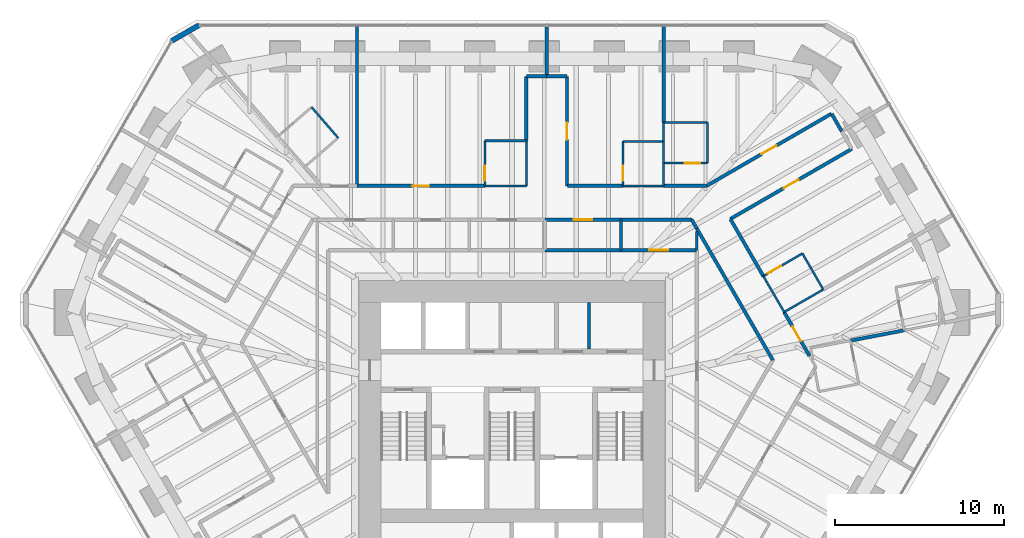
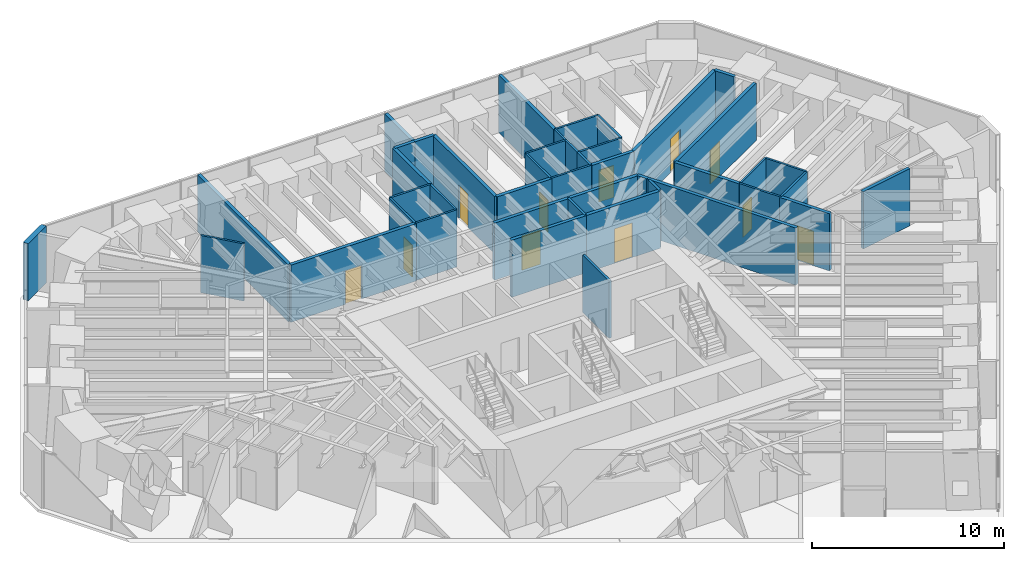
# One storey, part 15 of 17: 44 walls, 11 doors, 11 openings.
"""IFC4 building model written with IfcOpenShell, lengths in metres."""

import ifcopenshell
import ifcopenshell.guid

model = None  # the IFC model being written
_history = None  # IfcOwnerHistory: only IFC2X3 demands one
_inside = {}  # id of a spatial element -> (the spatial element, [elements in it])
_under = {}  # id of a project, library or spatial element -> (it, [spatial elements below it])
_declared = {}  # id of a project -> (the project, [libraries it declares])
_typed = {}  # id of a type object -> (the type object, [elements of that type])
_made_of = {}  # id of a material, layer set ... -> (it, [elements and type objects made of it])


def new_model(schema):
    """Start an empty IFC model of exactly this schema.

    Asked for "IFC4X3", IfcOpenShell would pick the latest addendum, in which some entities
    have other attributes; the version numbers below select the first issue.
    IFC2X3 requires an IfcOwnerHistory on every rooted entity: one is made here for all.
    """
    global model, _history
    if schema == "IFC4X3":
        model = ifcopenshell.file(schema_version=(4, 3, 0, 0))
    else:
        model = ifcopenshell.file(schema=schema)
    _inside.clear()
    _under.clear()
    _declared.clear()
    _typed.clear()
    _made_of.clear()
    _history = None
    if model.schema == "IFC2X3":
        org = make("IfcOrganization", Name="unknown")
        user = make(
            "IfcPersonAndOrganization",
            ThePerson=make("IfcPerson", FamilyName="unknown"),
            TheOrganization=org,
        )
        app = make(
            "IfcApplication",
            ApplicationDeveloper=org,
            Version="unknown",
            ApplicationFullName="unknown",
            ApplicationIdentifier="unknown",
        )
        _history = make(
            "IfcOwnerHistory",
            OwningUser=user,
            OwningApplication=app,
            ChangeAction="ADDED",
            CreationDate=0,
        )
    return model


def make(cls, **values):
    """One entity of the class cls with the attributes given. An attribute that is None is left unset."""
    return model.create_entity(
        cls, **{name: value for name, value in values.items() if value is not None}
    )


def rooted(cls, **values):
    """An entity with a GlobalId (a new one), such as an element, a storey or a relation."""
    return make(cls, GlobalId=ifcopenshell.guid.new(), OwnerHistory=_history, **values)


def si_unit(unit_type, name, prefix=None):
    """IfcSIUnit, for example si_unit("LENGTHUNIT", "METRE", prefix="MILLI")."""
    return make("IfcSIUnit", UnitType=unit_type, Prefix=prefix, Name=name)


def assignment(units):
    """IfcUnitAssignment: the units of a project."""
    return None if units is None else make("IfcUnitAssignment", Units=units)


def point(xyz):
    """IfcCartesianPoint."""
    return None if xyz is None else make("IfcCartesianPoint", Coordinates=xyz)


def direction(xyz):
    """IfcDirection."""
    return None if xyz is None else make("IfcDirection", DirectionRatios=xyz)


def frame(location, z_axis=None, x_axis=None):
    """IfcAxis2Placement3D, a coordinate frame: its origin and axes. An axis left out is left unset."""
    return make(
        "IfcAxis2Placement3D",
        Location=point(location),
        Axis=direction(z_axis),
        RefDirection=direction(x_axis),
    )


def frame_2d(location, x_axis=None):
    """IfcAxis2Placement2D, a coordinate frame in the plane: its origin and x axis."""
    return make(
        "IfcAxis2Placement2D", Location=point(location), RefDirection=direction(x_axis)
    )


def origin():
    """The frame at (0, 0, 0) with its axes left unset."""
    return frame((0.0, 0.0, 0.0))


def place(relative_to, where):
    """IfcLocalPlacement: puts the frame where relative to a parent placement (None: the world)."""
    return make(
        "IfcLocalPlacement", PlacementRelTo=relative_to, RelativePlacement=where
    )


def context(
    kind, dimensions, precision=None, world=None, true_north=None, identifier=None
):
    """IfcGeometricRepresentationContext, for example the 3D "Model" context."""
    return make(
        "IfcGeometricRepresentationContext",
        ContextIdentifier=identifier,
        ContextType=kind,
        CoordinateSpaceDimension=dimensions,
        Precision=precision,
        WorldCoordinateSystem=world,
        TrueNorth=true_north,
    )


def subcontext(parent, identifier, kind, view, scale=None):
    """IfcGeometricRepresentationSubContext, for example "Body" below "Model"."""
    return make(
        "IfcGeometricRepresentationSubContext",
        ContextIdentifier=identifier,
        ContextType=kind,
        ParentContext=parent,
        TargetScale=scale,
        TargetView=view,
    )


def project(units=None, contexts=None):
    """IfcProject with its units and contexts."""
    return rooted(
        "IfcProject",
        Name="project",
        RepresentationContexts=contexts,
        UnitsInContext=assignment(units),
    )


def spatial(cls, under=None, at=None, **own):
    """A site, building, storey or space (cls), placed at a placement, below another one or the project."""
    s = rooted(cls, ObjectPlacement=at, **own)
    if under is not None:
        _under.setdefault(under.id(), (under, []))[1].append(s)
    return s


def profile(cls, at=None, kind="AREA", **sizes):
    """A parametric profile (cls). Its sizes go by their IFC names, for example OverallWidth=200.0."""
    return make(cls, ProfileType=kind, Position=at, **sizes)


def rectangle(**sizes):
    """IfcRectangleProfileDef."""
    return profile("IfcRectangleProfileDef", **sizes)


def extrude(swept, where, along, depth):
    """IfcExtrudedAreaSolid: the profile swept, set in the frame where, extruded along a direction by depth."""
    return make(
        "IfcExtrudedAreaSolid",
        SweptArea=swept,
        Position=where,
        ExtrudedDirection=direction(along),
        Depth=depth,
    )


def shape(context_of_items, identifier, shape_type, items):
    """IfcShapeRepresentation: the items that make up one representation, for example the "Body"."""
    return make(
        "IfcShapeRepresentation",
        ContextOfItems=context_of_items,
        RepresentationIdentifier=identifier,
        RepresentationType=shape_type,
        Items=items,
    )


def material(Name=None, Category=None):
    """IfcMaterial."""
    return make("IfcMaterial", Name=Name, Category=Category)


def layer(
    of_material, thickness, ventilated=None, Name=None, Category=None, Priority=None
):
    """IfcMaterialLayer: one layer of a wall or slab, of a material (None: an air gap)."""
    return make(
        "IfcMaterialLayer",
        Material=of_material,
        LayerThickness=thickness,
        IsVentilated=ventilated,
        Name=Name,
        Category=Category,
        Priority=Priority,
    )


def layer_set(layers, Name=None):
    """IfcMaterialLayerSet."""
    return make("IfcMaterialLayerSet", MaterialLayers=layers, LayerSetName=Name)


def made_of(thing, what):
    """Note that an element or type object is made of a material, layer set ...; save() writes the relation."""
    if what is not None:
        _made_of.setdefault(what.id(), (what, []))[1].append(thing)
    return thing


def type_object(cls, material=None, **own):
    """A type object (cls), such as IfcWallType, which elements share."""
    return made_of(rooted(cls, **own), material)


def element(
    cls,
    number,
    at=None,
    inside=None,
    cuts=None,
    type_object=None,
    material=None,
    context=None,
    identifier="Body",
    shape_type=None,
    held_by="IfcProductDefinitionShape",
    body=None,
    shapes=None,
    **own,
):
    """One element of the class cls, such as IfcWall. Its Tag is "e" and its number.

    at: its placement. inside: the storey or other place that contains it. cuts: it is an
    opening in that element (IfcRelVoidsElement). A single representation is given by context,
    identifier, shape_type and body (its items); several are given by shapes. held_by: the class
    of the entity that holds the representations. save() writes the other relations.
    """
    e = rooted(cls, Tag="e%d" % number, ObjectPlacement=at, **own)
    if body is not None:
        shapes = [shape(context, identifier, shape_type, body)]
    if shapes is not None:
        e.Representation = make(held_by, Representations=shapes)
    if inside is not None:
        _inside.setdefault(inside.id(), (inside, []))[1].append(e)
    if cuts is not None:
        rooted(
            "IfcRelVoidsElement", RelatingBuildingElement=cuts, RelatedOpeningElement=e
        )
    if type_object is not None:
        _typed.setdefault(type_object.id(), (type_object, []))[1].append(e)
    return made_of(e, material)


def fill(opening, filler):
    """IfcRelFillsElement: the door or window that sits in an opening."""
    return rooted(
        "IfcRelFillsElement",
        RelatingOpeningElement=opening,
        RelatedBuildingElement=filler,
    )


def aggregate(whole, parts):
    """IfcRelAggregates: a whole, such as a stair, and the parts it consists of."""
    return rooted("IfcRelAggregates", RelatingObject=whole, RelatedObjects=parts)


def save(model, path):
    """Write the relations noted so far, then the file.

    IfcRelAggregates (storeys below a building ...), IfcRelContainedInSpatialStructure (elements
    in a storey), IfcRelDefinesByType, IfcRelAssociatesMaterial and IfcRelDeclares: one each for
    every whole, place, type object, material and project.
    """
    for whole, parts in _under.values():
        aggregate(whole, parts)
    for where, things in _inside.values():
        rooted(
            "IfcRelContainedInSpatialStructure",
            RelatedElements=things,
            RelatingStructure=where,
        )
    for kind, things in _typed.values():
        rooted("IfcRelDefinesByType", RelatedObjects=things, RelatingType=kind)
    for what, things in _made_of.values():
        rooted("IfcRelAssociatesMaterial", RelatedObjects=things, RelatingMaterial=what)
    for by, libraries in _declared.values():
        rooted("IfcRelDeclares", RelatingContext=by, RelatedDefinitions=libraries)
    model.write(path)


model = new_model("IFC4")

# Units and contexts
model_context = context("Model", 3, precision=1e-05, world=origin(), true_north=direction((0.0, 1.0)))
body_context = subcontext(model_context, "Body", "Model", "MODEL_VIEW")
ifc_project = project(units=[si_unit("LENGTHUNIT", "METRE"), si_unit("AREAUNIT", "SQUARE_METRE"), si_unit("VOLUMEUNIT", "CUBIC_METRE"), si_unit("PLANEANGLEUNIT", "RADIAN"), si_unit("MASSUNIT", "GRAM", prefix="KILO")], contexts=[model_context])

# Site, building, storey
site_placement = place(None, origin())
site = spatial("IfcSite", under=ifc_project, at=site_placement, CompositionType="ELEMENT")
building_placement = place(site_placement, origin())
building = spatial("IfcBuilding", under=site, at=building_placement, Name="Sandreach Pilgrim Tower", CompositionType="ELEMENT")
storey_placement = place(building_placement, frame((0.0, 0.0, 161.39990234375)))
storey = spatial("IfcBuildingStorey", under=building, at=storey_placement, Name="L40", CompositionType="ELEMENT", Elevation=161.39990234375)

# Walls
ifc_material_1 = material(Name="Gypsum board on steel studs", Category="steel")
ifc_layer_1 = layer(ifc_material_1, 0.14990234375)
ifc_layer_set_1 = layer_set([ifc_layer_1], Name="Back of house wall 150")
wall_type_1 = type_object("IfcWallType", Name="Back of house wall 150", PredefinedType="PARTITIONING", material=ifc_layer_set_1)
wall_1_placement = place(storey_placement, frame((6.43994140625, 10.989990234375, 0.0), z_axis=(0.0, 0.0, 1.0), x_axis=(0.0, -1.0, 0.0)))
element("IfcWall", 1, at=wall_1_placement, inside=storey, type_object=wall_type_1, Name="Back of house wall L40-115", PredefinedType="PARTITIONING", context=body_context, shape_type="SweptSolid", body=[
    extrude(rectangle(XDim=1.7900390625, YDim=0.14990234375, at=frame_2d((0.89501953125, 0.0))), origin(), (0.0, 0.0, 1.0), 3.64013671875),
])
wall_2_placement = place(storey_placement, frame((10.919921875, 10.31005859375, 0.0), z_axis=(0.0, 0.0, 1.0), x_axis=(0.0, -1.0, 0.0)))
element("IfcWall", 2, at=wall_2_placement, inside=storey, type_object=wall_type_1, Name="Back of house wall L40-140", PredefinedType="PARTITIONING", context=body_context, shape_type="SweptSolid", body=[
    extrude(rectangle(XDim=1.110107421875, YDim=0.14990234375, at=frame_2d((0.55517578125, 0.0))), origin(), (0.0, 0.0, 1.0), 3.64013671875),
])
wall_3_placement = place(storey_placement, frame((4.550048828125, 3.35009765625, 0.0), z_axis=(0.0, 0.0, 1.0), x_axis=(0.0, 1.0, 0.0)))
element("IfcWall", 3, at=wall_3_placement, inside=storey, type_object=wall_type_1, Name="Core room partition L40 2", PredefinedType="PARTITIONING", context=body_context, shape_type="SweptSolid", body=[
    extrude(rectangle(XDim=2.75, YDim=0.14990234375, at=frame_2d((1.375, 0.0))), origin(), (0.0, 0.0, 1.0), 3.64013671875),
])
ifc_material_2 = material(Name="Moisture-resistant gypsum board on steel studs", Category="steel")
ifc_layer_2 = layer(ifc_material_2, 0.1201171875)
ifc_layer_set_2 = layer_set([ifc_layer_2], Name="Bathroom partition 120")
wall_type_2 = type_object("IfcWallType", Name="Bathroom partition 120", PredefinedType="PARTITIONING", material=ifc_layer_set_2)
wall_4_placement = place(storey_placement, frame((-10.27001953125, 15.830078125, 0.0), z_axis=(0.0, 0.0, 1.0), x_axis=(-0.655302876176, 0.755366229372, 0.0)))
element("IfcWall", 4, at=wall_4_placement, inside=storey, type_object=wall_type_2, Name="Bathroom partition L40-055", PredefinedType="PARTITIONING", context=body_context, shape_type="SweptSolid", body=[
    extrude(rectangle(XDim=2.39599609375, YDim=0.1201171875, at=frame_2d((1.197998046875, 0.0))), origin(), (0.0, 0.0, 1.0), 3.64013671875),
])

# Wall, opening, door
wall_5_placement = place(storey_placement, frame((-1.60009765625, 15.659912109375, 0.0), z_axis=(0.0, 0.0, 1.0), x_axis=(0.0, -1.0, 0.0)))
wall_5 = element("IfcWall", 5, at=wall_5_placement, inside=storey, type_object=wall_type_2, Name="Bathroom partition L40-088", PredefinedType="PARTITIONING", context=body_context, shape_type="SweptSolid", body=[
    extrude(rectangle(XDim=2.669921875, YDim=0.1201171875, at=frame_2d((1.3349609375, 0.0))), origin(), (0.0, 0.0, 1.0), 3.64013671875),
])
opening_1_placement = place(wall_5_placement, frame((1.469970703125, 0.0, 0.0)))
opening_1 = element("IfcOpeningElement", 6, at=opening_1_placement, cuts=wall_5, Name="Opening D09-02B", PredefinedType="OPENING", context=body_context, shape_type="SweptSolid", body=[
    extrude(rectangle(XDim=0.89990234375, YDim=2.030029296875, at=frame_2d((0.449951171875, 1.01513671875))), frame((0.0, 0.06005859375, 0.0), z_axis=(0.0, -1.0, 0.0), x_axis=(1.0, 0.0, 0.0)), (0.0, 0.0, 1.0), 0.1201171875),
])
ifc_material_3 = material(Name="Timber door, steel frame", Category="steel")
door_type_1 = type_object("IfcDoorType", Name="Bathroom door", OperationType="SINGLE_SWING_LEFT", PredefinedType="DOOR", material=ifc_material_3)
door_1_placement = place(opening_1_placement, origin())
door_1 = element("IfcDoor", 7, at=door_1_placement, inside=storey, type_object=door_type_1, Name="Door 4002B", OperationType="SINGLE_SWING_RIGHT", OverallHeight=2.030029296875, OverallWidth=0.89990234375, PredefinedType="DOOR", context=body_context, shape_type="SweptSolid", body=[
    extrude(rectangle(XDim=0.89990234375, YDim=2.030029296875, at=frame_2d((0.449951171875, 1.01513671875))), frame((0.0, 0.02490234375, 0.0), z_axis=(0.0, -1.0, 0.0), x_axis=(1.0, 0.0, 0.0)), (0.0, 0.0, 1.0), 0.050048828125),
])
fill(opening_1, door_1)

# Walls
for number, where, z_axis, x_axis, name in (
    (8, (0.85009765625, 12.989990234375, 0.0), (0.0, 0.0, 1.0), (-1.0, 0.0, 0.0), "Bathroom partition L40-092"),
    (9, (0.85009765625, 15.659912109375, 0.0), (0.0, 0.0, 1.0), (-1.0, 0.0, 0.0), "Bathroom partition L40-093"),
):
    element("IfcWall", number, at=place(storey_placement, frame(where, z_axis=z_axis, x_axis=x_axis)), inside=storey, type_object=wall_type_2, Name=name, PredefinedType="PARTITIONING", context=body_context, shape_type="SweptSolid", body=[
        extrude(rectangle(XDim=2.4501953125, YDim=0.1201171875, at=frame_2d((1.22509765625, 0.0))), origin(), (0.0, 0.0, 1.0), 3.64013671875),
    ])
wall_6_placement = place(storey_placement, frame((0.85009765625, 15.659912109375, 0.0), z_axis=(0.0, 0.0, 1.0), x_axis=(0.0, -1.0, 0.0)))
element("IfcWall", 10, at=wall_6_placement, inside=storey, type_object=wall_type_2, Name="Bathroom partition L40-094", PredefinedType="PARTITIONING", context=body_context, shape_type="SweptSolid", body=[
    extrude(rectangle(XDim=2.669921875, YDim=0.1201171875, at=frame_2d((1.3349609375, 0.0))), origin(), (0.0, 0.0, 1.0), 3.64013671875),
])

# Wall, opening, door
wall_7_placement = place(storey_placement, frame((6.56005859375, 15.610107421875, 0.0), z_axis=(0.0, 0.0, 1.0), x_axis=(0.0, -1.0, 0.0)))
wall_7 = element("IfcWall", 11, at=wall_7_placement, inside=storey, type_object=wall_type_2, Name="Bathroom partition L40-118", PredefinedType="PARTITIONING", context=body_context, shape_type="SweptSolid", body=[
    extrude(rectangle(XDim=2.6201171875, YDim=0.1201171875, at=frame_2d((1.31005859375, 0.0))), origin(), (0.0, 0.0, 1.0), 3.64013671875),
])
opening_2_placement = place(wall_7_placement, frame((1.419921875, 0.0, 0.0)))
opening_2 = element("IfcOpeningElement", 12, at=opening_2_placement, cuts=wall_7, Name="Opening D09-03B", PredefinedType="OPENING", context=body_context, shape_type="SweptSolid", body=[
    extrude(rectangle(XDim=0.89990234375, YDim=2.030029296875, at=frame_2d((0.449951171875, 1.01513671875))), frame((0.0, 0.06005859375, 0.0), z_axis=(0.0, -1.0, 0.0), x_axis=(1.0, 0.0, 0.0)), (0.0, 0.0, 1.0), 0.1201171875),
])
door_2_placement = place(opening_2_placement, origin())
door_2 = element("IfcDoor", 13, at=door_2_placement, inside=storey, type_object=door_type_1, Name="Door 4003B", OperationType="SINGLE_SWING_RIGHT", OverallHeight=2.030029296875, OverallWidth=0.89990234375, PredefinedType="DOOR", context=body_context, shape_type="SweptSolid", body=[
    extrude(rectangle(XDim=0.89990234375, YDim=2.030029296875, at=frame_2d((0.449951171875, 1.01513671875))), frame((0.0, 0.02490234375, 0.0), z_axis=(0.0, -1.0, 0.0), x_axis=(1.0, 0.0, 0.0)), (0.0, 0.0, 1.0), 0.050048828125),
])
fill(opening_2, door_2)

# Walls
wall_8_placement = place(storey_placement, frame((8.9599609375, 12.989990234375, 0.0), z_axis=(0.0, 0.0, 1.0), x_axis=(-1.0, 0.0, 0.0)))
element("IfcWall", 14, at=wall_8_placement, inside=storey, type_object=wall_type_2, Name="Bathroom partition L40-126", PredefinedType="PARTITIONING", context=body_context, shape_type="SweptSolid", body=[
    extrude(rectangle(XDim=2.39990234375, YDim=0.1201171875, at=frame_2d((1.199951171875, 0.0))), origin(), (0.0, 0.0, 1.0), 3.64013671875),
])
wall_9_placement = place(storey_placement, frame((8.9599609375, 14.340087890625, 0.0), z_axis=(0.0, 0.0, 1.0), x_axis=(0.0, -1.0, 0.0)))
element("IfcWall", 15, at=wall_9_placement, inside=storey, type_object=wall_type_2, Name="Bathroom partition L40-127", PredefinedType="PARTITIONING", context=body_context, shape_type="SweptSolid", body=[
    extrude(rectangle(XDim=1.35009765625, YDim=0.1201171875, at=frame_2d((0.675048828125, 0.0))), origin(), (0.0, 0.0, 1.0), 3.64013671875),
])

# Wall, opening, door
wall_10_placement = place(storey_placement, frame((8.9599609375, 14.340087890625, 0.0), z_axis=(0.0, 0.0, 1.0), x_axis=(1.0, 0.0, 0.0)))
wall_10 = element("IfcWall", 16, at=wall_10_placement, inside=storey, type_object=wall_type_2, Name="Bathroom partition L40-128", PredefinedType="PARTITIONING", context=body_context, shape_type="SweptSolid", body=[
    extrude(rectangle(XDim=2.60009765625, YDim=0.1201171875, at=frame_2d((1.300048828125, 0.0))), origin(), (0.0, 0.0, 1.0), 3.64013671875),
])
opening_3_placement = place(wall_10_placement, frame((1.25, 0.0, 0.0)))
opening_3 = element("IfcOpeningElement", 17, at=opening_3_placement, cuts=wall_10, Name="Opening D09-04B", PredefinedType="OPENING", context=body_context, shape_type="SweptSolid", body=[
    extrude(rectangle(XDim=0.89990234375, YDim=2.030029296875, at=frame_2d((0.449951171875, 1.01513671875))), frame((0.0, 0.06005859375, 0.0), z_axis=(0.0, -1.0, 0.0), x_axis=(1.0, 0.0, 0.0)), (0.0, 0.0, 1.0), 0.1201171875),
])
door_3_placement = place(opening_3_placement, origin())
door_3 = element("IfcDoor", 18, at=door_3_placement, inside=storey, type_object=door_type_1, Name="Door 4004B", OperationType="SINGLE_SWING_RIGHT", OverallHeight=2.030029296875, OverallWidth=0.89990234375, PredefinedType="DOOR", context=body_context, shape_type="SweptSolid", body=[
    extrude(rectangle(XDim=0.89990234375, YDim=2.030029296875, at=frame_2d((0.449951171875, 1.01513671875))), frame((0.0, 0.02490234375, 0.0), z_axis=(0.0, -1.0, 0.0), x_axis=(1.0, 0.0, 0.0)), (0.0, 0.0, 1.0), 0.050048828125),
])
fill(opening_3, door_3)

# Walls
wall_11_placement = place(storey_placement, frame((8.9599609375, 15.610107421875, 0.0), z_axis=(0.0, 0.0, 1.0), x_axis=(-1.0, 0.0, 0.0)))
element("IfcWall", 19, at=wall_11_placement, inside=storey, type_object=wall_type_2, Name="Bathroom partition L40-129", PredefinedType="PARTITIONING", context=body_context, shape_type="SweptSolid", body=[
    extrude(rectangle(XDim=2.39990234375, YDim=0.1201171875, at=frame_2d((1.199951171875, 0.0))), origin(), (0.0, 0.0, 1.0), 3.64013671875),
])
wall_12_placement = place(storey_placement, frame((8.9599609375, 15.610107421875, 0.0), z_axis=(0.0, 0.0, 1.0), x_axis=(0.0, -1.0, 0.0)))
element("IfcWall", 20, at=wall_12_placement, inside=storey, type_object=wall_type_2, Name="Bathroom partition L40-130", PredefinedType="PARTITIONING", context=body_context, shape_type="SweptSolid", body=[
    extrude(rectangle(XDim=1.27001953125, YDim=0.1201171875, at=frame_2d((0.635009765625, 0.0))), origin(), (0.0, 0.0, 1.0), 3.64013671875),
])
wall_13_placement = place(storey_placement, frame((8.9599609375, 16.739990234375, 0.0), z_axis=(0.0, 0.0, 1.0), x_axis=(0.0, -1.0, 0.0)))
element("IfcWall", 21, at=wall_13_placement, inside=storey, type_object=wall_type_2, Name="Bathroom partition L40-131", PredefinedType="PARTITIONING", context=body_context, shape_type="SweptSolid", body=[
    extrude(rectangle(XDim=1.1298828125, YDim=0.1201171875, at=frame_2d((0.56494140625, 0.0))), origin(), (0.0, 0.0, 1.0), 3.64013671875),
])
wall_14_placement = place(storey_placement, frame((11.56005859375, 14.340087890625, 0.0), z_axis=(0.0, 0.0, 1.0), x_axis=(0.0, 1.0, 0.0)))
element("IfcWall", 22, at=wall_14_placement, inside=storey, type_object=wall_type_2, Name="Bathroom partition L40-143", PredefinedType="PARTITIONING", context=body_context, shape_type="SweptSolid", body=[
    extrude(rectangle(XDim=2.39990234375, YDim=0.1201171875, at=frame_2d((1.199951171875, 0.0))), origin(), (0.0, 0.0, 1.0), 3.64013671875),
])
wall_15_placement = place(storey_placement, frame((11.56005859375, 16.739990234375, 0.0), z_axis=(0.0, 0.0, 1.0), x_axis=(-1.0, 0.0, 0.0)))
element("IfcWall", 23, at=wall_15_placement, inside=storey, type_object=wall_type_2, Name="Bathroom partition L40-144", PredefinedType="PARTITIONING", context=body_context, shape_type="SweptSolid", body=[
    extrude(rectangle(XDim=2.60009765625, YDim=0.1201171875, at=frame_2d((1.300048828125, 0.0))), origin(), (0.0, 0.0, 1.0), 3.64013671875),
])
wall_16_placement = place(storey_placement, frame((14.85009765625, 7.659912109375, 0.0), z_axis=(0.0, 0.0, 1.0), x_axis=(0.501856726365, -0.86495076519, 0.0)))
element("IfcWall", 24, at=wall_16_placement, inside=storey, type_object=wall_type_2, Name="Bathroom partition L40-152", PredefinedType="PARTITIONING", context=body_context, shape_type="SweptSolid", body=[
    extrude(rectangle(XDim=2.450927734375, YDim=0.1201171875, at=frame_2d((1.2255859375, 0.0))), origin(), (0.0, 0.0, 1.0), 3.64013671875),
])
wall_17_placement = place(storey_placement, frame((16.080078125, 5.5400390625, 0.0), z_axis=(0.0, 0.0, 1.0), x_axis=(0.86663205897, 0.498947767172, 0.0)))
element("IfcWall", 25, at=wall_17_placement, inside=storey, type_object=wall_type_2, Name="Bathroom partition L40-158", PredefinedType="PARTITIONING", context=body_context, shape_type="SweptSolid", body=[
    extrude(rectangle(XDim=2.665283203125, YDim=0.1201171875, at=frame_2d((1.33251953125, 0.0))), origin(), (0.0, 0.0, 1.0), 3.64013671875),
])

# Wall, opening, door
wall_18_placement = place(storey_placement, frame((17.159912109375, 9.0, 0.0), z_axis=(0.0, 0.0, 1.0), x_axis=(-0.864966903181, -0.501828911485, 0.0)))
wall_18 = element("IfcWall", 26, at=wall_18_placement, inside=storey, type_object=wall_type_2, Name="Bathroom partition L40-160", PredefinedType="PARTITIONING", context=body_context, shape_type="SweptSolid", body=[
    extrude(rectangle(XDim=2.67041015625, YDim=0.1201171875, at=frame_2d((1.335205078125, 0.0))), origin(), (0.0, 0.0, 1.0), 3.64013671875),
])
opening_4_placement = place(wall_18_placement, frame((1.470458984375, 0.0, 0.0)))
opening_4 = element("IfcOpeningElement", 27, at=opening_4_placement, cuts=wall_18, Name="Opening D09-05B", PredefinedType="OPENING", context=body_context, shape_type="SweptSolid", body=[
    extrude(rectangle(XDim=0.89990234375, YDim=2.030029296875, at=frame_2d((0.449951171875, 1.01513671875))), frame((0.0, 0.06005859375, 0.0), z_axis=(0.0, -1.0, 0.0), x_axis=(1.0, 0.0, 0.0)), (0.0, 0.0, 1.0), 0.1201171875),
])
door_4_placement = place(opening_4_placement, origin())
door_4 = element("IfcDoor", 28, at=door_4_placement, inside=storey, type_object=door_type_1, Name="Door 4005B", OperationType="SINGLE_SWING_RIGHT", OverallHeight=2.030029296875, OverallWidth=0.89990234375, PredefinedType="DOOR", context=body_context, shape_type="SweptSolid", body=[
    extrude(rectangle(XDim=0.89990234375, YDim=2.030029296875, at=frame_2d((0.449951171875, 1.01513671875))), frame((0.0, 0.02490234375, 0.0), z_axis=(0.0, -1.0, 0.0), x_axis=(1.0, 0.0, 0.0)), (0.0, 0.0, 1.0), 0.050048828125),
])
fill(opening_4, door_4)

# Wall
wall_19_placement = place(storey_placement, frame((18.389892578125, 6.8701171875, 0.0), z_axis=(0.0, 0.0, 1.0), x_axis=(-0.500089055364, 0.86597398154, 0.0)))
element("IfcWall", 29, at=wall_19_placement, inside=storey, type_object=wall_type_2, Name="Bathroom partition L40-168", PredefinedType="PARTITIONING", context=body_context, shape_type="SweptSolid", body=[
    extrude(rectangle(XDim=2.45947265625, YDim=0.1201171875, at=frame_2d((1.229736328125, 0.0))), origin(), (0.0, 0.0, 1.0), 3.64013671875),
])

# Wall, opening, door
ifc_material_4 = material(Name="Gypsum board on steel studs, two layers each side", Category="steel")
ifc_layer_3 = layer(ifc_material_4, 0.199951171875)
ifc_layer_set_3 = layer_set([ifc_layer_3], Name="Corridor wall 200")
wall_type_3 = type_object("IfcWallType", Name="Corridor wall 200", PredefinedType="PARTITIONING", material=ifc_layer_set_3)
wall_20_placement = place(storey_placement, frame((-1.60009765625, 12.989990234375, 0.0), z_axis=(0.0, 0.0, 1.0), x_axis=(-1.0, 0.0, 0.0)))
wall_20 = element("IfcWall", 30, at=wall_20_placement, inside=storey, type_object=wall_type_3, Name="Corridor wall L40-087", PredefinedType="PARTITIONING", context=body_context, shape_type="SweptSolid", body=[
    extrude(rectangle(XDim=7.559814453125, YDim=0.199951171875, at=frame_2d((3.77978515625, 0.0))), origin(), (0.0, 0.0, 1.0), 3.64013671875),
])
opening_5_placement = place(wall_20_placement, frame((3.280029296875, 0.0, 0.0)))
opening_5 = element("IfcOpeningElement", 31, at=opening_5_placement, cuts=wall_20, Name="Opening D10-02", PredefinedType="OPENING", context=body_context, shape_type="SweptSolid", body=[
    extrude(rectangle(XDim=1.0, YDim=2.1298828125, at=frame_2d((0.5, 1.06494140625))), frame((0.0, 0.10009765625, 0.0), z_axis=(0.0, -1.0, 0.0), x_axis=(1.0, 0.0, 0.0)), (0.0, 0.0, 1.0), 0.199951171875),
])
ifc_material_5 = material(Name="Steel door and frame", Category="steel")
door_type_2 = type_object("IfcDoorType", Name="Guest room entry door", OperationType="SINGLE_SWING_LEFT", PredefinedType="DOOR", material=ifc_material_5)
door_5_placement = place(opening_5_placement, origin())
door_5 = element("IfcDoor", 32, at=door_5_placement, inside=storey, type_object=door_type_2, Name="Door 4002", OperationType="SINGLE_SWING_LEFT", OverallHeight=2.1298828125, OverallWidth=1.0, PredefinedType="DOOR", context=body_context, shape_type="SweptSolid", body=[
    extrude(rectangle(XDim=1.0, YDim=2.1298828125, at=frame_2d((0.5, 1.06494140625))), frame((0.0, 0.02490234375, 0.0), z_axis=(0.0, -1.0, 0.0), x_axis=(1.0, 0.0, 0.0)), (0.0, 0.0, 1.0), 0.050048828125),
])
fill(opening_5, door_5)

# Wall
wall_21_placement = place(storey_placement, frame((0.85009765625, 19.4599609375, 0.0), z_axis=(0.0, 0.0, 1.0), x_axis=(0.0, -1.0, 0.0)))
element("IfcWall", 33, at=wall_21_placement, inside=storey, type_object=wall_type_3, Name="Corridor wall L40-095", PredefinedType="PARTITIONING", context=body_context, shape_type="SweptSolid", body=[
    extrude(rectangle(XDim=3.800048828125, YDim=0.199951171875, at=frame_2d((1.89990234375, 0.0))), origin(), (0.0, 0.0, 1.0), 3.64013671875),
])

# Wall, opening, door
wall_22_placement = place(storey_placement, frame((1.949951171875, 10.989990234375, 0.0), z_axis=(0.0, 0.0, 1.0), x_axis=(1.0, 0.0, 0.0)))
wall_22 = element("IfcWall", 34, at=wall_22_placement, inside=storey, type_object=wall_type_3, Name="Corridor wall L40-100", PredefinedType="PARTITIONING", context=body_context, shape_type="SweptSolid", body=[
    extrude(rectangle(XDim=4.489990234375, YDim=0.199951171875, at=frame_2d((2.2451171875, 0.0))), origin(), (0.0, 0.0, 1.0), 3.64013671875),
])
opening_6_placement = place(wall_22_placement, frame((1.695068359375, 0.0, 0.0)))
opening_6 = element("IfcOpeningElement", 35, at=opening_6_placement, cuts=wall_22, Name="Opening D11H-M05", PredefinedType="OPENING", context=body_context, shape_type="SweptSolid", body=[
    extrude(rectangle(XDim=1.10009765625, YDim=2.199951171875, at=frame_2d((0.550048828125, 1.10009765625))), frame((0.0, 0.10009765625, 0.0), z_axis=(0.0, -1.0, 0.0), x_axis=(1.0, 0.0, 0.0)), (0.0, 0.0, 1.0), 0.199951171875),
])
ifc_material_6 = material(Name="Steel door and frame", Category="steel")
door_type_3 = type_object("IfcDoorType", Name="Back of house door", OperationType="SINGLE_SWING_LEFT", PredefinedType="DOOR", material=ifc_material_6)
door_6_placement = place(opening_6_placement, origin())
door_6 = element("IfcDoor", 36, at=door_6_placement, inside=storey, type_object=door_type_3, Name="Door 40M05", OperationType="SINGLE_SWING_LEFT", OverallHeight=2.199951171875, OverallWidth=1.10009765625, PredefinedType="DOOR", context=body_context, shape_type="SweptSolid", body=[
    extrude(rectangle(XDim=1.10009765625, YDim=2.199951171875, at=frame_2d((0.550048828125, 1.10009765625))), frame((0.0, 0.02490234375, 0.0), z_axis=(0.0, -1.0, 0.0), x_axis=(1.0, 0.0, 0.0)), (0.0, 0.0, 1.0), 0.050048828125),
])
fill(opening_6, door_6)

# Walls
for number, where, z_axis, x_axis, name in (
    (37, (2.050048828125, 19.4599609375, 0.0), (0.0, 0.0, 1.0), (-1.0, 0.0, 0.0), "Corridor wall L40-101"),
    (38, (3.235107421875, 19.4599609375, 0.0), (0.0, 0.0, 1.0), (-1.0, 0.0, 0.0), "Corridor wall L40-105"),
):
    element("IfcWall", number, at=place(storey_placement, frame(where, z_axis=z_axis, x_axis=x_axis)), inside=storey, type_object=wall_type_3, Name=name, PredefinedType="PARTITIONING", context=body_context, shape_type="SweptSolid", body=[
        extrude(rectangle(XDim=1.18505859375, YDim=0.199951171875, at=frame_2d((0.592529296875, 0.0))), origin(), (0.0, 0.0, 1.0), 3.64013671875),
    ])

# Wall, opening, door
wall_23_placement = place(storey_placement, frame((3.25, 12.989990234375, 0.0), z_axis=(0.0, 0.0, 1.0), x_axis=(0.0, 1.0, 0.0)))
wall_23 = element("IfcWall", 39, at=wall_23_placement, inside=storey, type_object=wall_type_3, Name="Corridor wall L40-106", PredefinedType="PARTITIONING", context=body_context, shape_type="SweptSolid", body=[
    extrude(rectangle(XDim=6.469970703125, YDim=0.199951171875, at=frame_2d((3.23486328125, 0.0))), origin(), (0.0, 0.0, 1.0), 3.64013671875),
])
opening_7_placement = place(wall_23_placement, frame((2.735107421875, 0.0, 0.0)))
opening_7 = element("IfcOpeningElement", 40, at=opening_7_placement, cuts=wall_23, Name="Opening D10-03", PredefinedType="OPENING", context=body_context, shape_type="SweptSolid", body=[
    extrude(rectangle(XDim=1.0, YDim=2.1298828125, at=frame_2d((0.5, 1.06494140625))), frame((0.0, 0.10009765625, 0.0), z_axis=(0.0, -1.0, 0.0), x_axis=(1.0, 0.0, 0.0)), (0.0, 0.0, 1.0), 0.199951171875),
])
door_7_placement = place(opening_7_placement, origin())
door_7 = element("IfcDoor", 41, at=door_7_placement, inside=storey, type_object=door_type_2, Name="Door 4003", OperationType="SINGLE_SWING_LEFT", OverallHeight=2.1298828125, OverallWidth=1.0, PredefinedType="DOOR", context=body_context, shape_type="SweptSolid", body=[
    extrude(rectangle(XDim=1.0, YDim=2.1298828125, at=frame_2d((0.5, 1.06494140625))), frame((0.0, 0.02490234375, 0.0), z_axis=(0.0, -1.0, 0.0), x_axis=(1.0, 0.0, 0.0)), (0.0, 0.0, 1.0), 0.050048828125),
])
fill(opening_7, door_7)

# Walls
wall_24_placement = place(storey_placement, frame((6.43994140625, 9.199951171875, 0.0), z_axis=(0.0, 0.0, 1.0), x_axis=(-1.0, 0.0, 0.0)))
element("IfcWall", 42, at=wall_24_placement, inside=storey, type_object=wall_type_3, Name="Corridor wall L40-114", PredefinedType="PARTITIONING", context=body_context, shape_type="SweptSolid", body=[
    extrude(rectangle(XDim=4.489990234375, YDim=0.199951171875, at=frame_2d((2.2451171875, 0.0))), origin(), (0.0, 0.0, 1.0), 3.64013671875),
])
wall_25_placement = place(storey_placement, frame((6.43994140625, 10.989990234375, 0.0), z_axis=(0.0, 0.0, 1.0), x_axis=(1.0, 0.0, 0.0)))
element("IfcWall", 43, at=wall_25_placement, inside=storey, type_object=wall_type_3, Name="Corridor wall L40-116", PredefinedType="PARTITIONING", context=body_context, shape_type="SweptSolid", body=[
    extrude(rectangle(XDim=4.18017578125, YDim=0.199951171875, at=frame_2d((2.090087890625, 0.0))), origin(), (0.0, 0.0, 1.0), 3.64013671875),
])
wall_26_placement = place(storey_placement, frame((6.56005859375, 12.989990234375, 0.0), z_axis=(0.0, 0.0, 1.0), x_axis=(-1.0, 0.0, 0.0)))
element("IfcWall", 44, at=wall_26_placement, inside=storey, type_object=wall_type_3, Name="Corridor wall L40-117", PredefinedType="PARTITIONING", context=body_context, shape_type="SweptSolid", body=[
    extrude(rectangle(XDim=3.295166015625, YDim=0.199951171875, at=frame_2d((1.6474609375, 0.0))), origin(), (0.0, 0.0, 1.0), 3.64013671875),
])
wall_27_placement = place(storey_placement, frame((10.6201171875, 10.989990234375, 0.0), z_axis=(0.0, 0.0, 1.0), x_axis=(0.499464218792, -0.866334516308, 0.0)))
element("IfcWall", 45, at=wall_27_placement, inside=storey, type_object=wall_type_3, Name="Corridor wall L40-136", PredefinedType="PARTITIONING", context=body_context, shape_type="SweptSolid", body=[
    extrude(rectangle(XDim=0.600341796875, YDim=0.199951171875, at=frame_2d((0.30029296875, 0.0))), origin(), (0.0, 0.0, 1.0), 3.64013671875),
])

# Wall, opening, door
wall_28_placement = place(storey_placement, frame((10.905029296875, 9.199951171875, 0.0), z_axis=(0.0, 0.0, 1.0), x_axis=(-1.0, 0.0, 0.0)))
wall_28 = element("IfcWall", 46, at=wall_28_placement, inside=storey, type_object=wall_type_3, Name="Corridor wall L40-138", PredefinedType="PARTITIONING", context=body_context, shape_type="SweptSolid", body=[
    extrude(rectangle(XDim=4.465087890625, YDim=0.199951171875, at=frame_2d((2.232421875, 0.0))), origin(), (0.0, 0.0, 1.0), 3.64013671875),
])
opening_8_placement = place(wall_28_placement, frame((1.6826171875, 0.0, 0.0)))
opening_8 = element("IfcOpeningElement", 47, at=opening_8_placement, cuts=wall_28, Name="Opening D11H-M06", PredefinedType="OPENING", context=body_context, shape_type="SweptSolid", body=[
    extrude(rectangle(XDim=1.10009765625, YDim=2.199951171875, at=frame_2d((0.550048828125, 1.10009765625))), frame((0.0, 0.10009765625, 0.0), z_axis=(0.0, -1.0, 0.0), x_axis=(1.0, 0.0, 0.0)), (0.0, 0.0, 1.0), 0.199951171875),
])
door_8_placement = place(opening_8_placement, origin())
door_8 = element("IfcDoor", 48, at=door_8_placement, inside=storey, type_object=door_type_3, Name="Door 40M06", OperationType="SINGLE_SWING_LEFT", OverallHeight=2.199951171875, OverallWidth=1.10009765625, PredefinedType="DOOR", context=body_context, shape_type="SweptSolid", body=[
    extrude(rectangle(XDim=1.10009765625, YDim=2.199951171875, at=frame_2d((0.550048828125, 1.10009765625))), frame((0.0, 0.02490234375, 0.0), z_axis=(0.0, -1.0, 0.0), x_axis=(1.0, 0.0, 0.0)), (0.0, 0.0, 1.0), 0.050048828125),
])
fill(opening_8, door_8)

# Walls
wall_29_placement = place(storey_placement, frame((10.919921875, 10.469970703125, 0.0), z_axis=(0.0, 0.0, 1.0), x_axis=(0.500331533983, -0.865833907919, 0.0)))
element("IfcWall", 49, at=wall_29_placement, inside=storey, type_object=wall_type_3, Name="Corridor wall L40-141", PredefinedType="PARTITIONING", context=body_context, shape_type="SweptSolid", body=[
    extrude(rectangle(XDim=8.97412109375, YDim=0.199951171875, at=frame_2d((4.487060546875, 0.0))), origin(), (0.0, 0.0, 1.0), 3.64013671875),
])
wall_30_placement = place(storey_placement, frame((11.489990234375, 12.989990234375, 0.0), z_axis=(0.0, 0.0, 1.0), x_axis=(-1.0, 0.0, 0.0)))
element("IfcWall", 50, at=wall_30_placement, inside=storey, type_object=wall_type_3, Name="Corridor wall L40-142", PredefinedType="PARTITIONING", context=body_context, shape_type="SweptSolid", body=[
    extrude(rectangle(XDim=2.530029296875, YDim=0.199951171875, at=frame_2d((1.26513671875, 0.0))), origin(), (0.0, 0.0, 1.0), 3.64013671875),
])

# Wall, opening, door
wall_31_placement = place(storey_placement, frame((12.89990234375, 11.0400390625, 0.0), z_axis=(0.0, 0.0, 1.0), x_axis=(0.86631698263, 0.499494630209, 0.0)))
wall_31 = element("IfcWall", 51, at=wall_31_placement, inside=storey, type_object=wall_type_3, Name="Corridor wall L40-146", PredefinedType="PARTITIONING", context=body_context, shape_type="SweptSolid", body=[
    extrude(rectangle(XDim=8.2880859375, YDim=0.199951171875, at=frame_2d((4.14404296875, 0.0))), origin(), (0.0, 0.0, 1.0), 3.64013671875),
])
opening_9_placement = place(wall_31_placement, frame((3.64404296875, 0.0, 0.0)))
opening_9 = element("IfcOpeningElement", 52, at=opening_9_placement, cuts=wall_31, Name="Opening D10-05", PredefinedType="OPENING", context=body_context, shape_type="SweptSolid", body=[
    extrude(rectangle(XDim=1.0, YDim=2.1298828125, at=frame_2d((0.5, 1.06494140625))), frame((0.0, 0.10009765625, 0.0), z_axis=(0.0, -1.0, 0.0), x_axis=(1.0, 0.0, 0.0)), (0.0, 0.0, 1.0), 0.199951171875),
])
door_9_placement = place(opening_9_placement, origin())
door_9 = element("IfcDoor", 53, at=door_9_placement, inside=storey, type_object=door_type_2, Name="Door 4005", OperationType="SINGLE_SWING_LEFT", OverallHeight=2.1298828125, OverallWidth=1.0, PredefinedType="DOOR", context=body_context, shape_type="SweptSolid", body=[
    extrude(rectangle(XDim=1.0, YDim=2.1298828125, at=frame_2d((0.5, 1.06494140625))), frame((0.0, 0.02490234375, 0.0), z_axis=(0.0, -1.0, 0.0), x_axis=(1.0, 0.0, 0.0)), (0.0, 0.0, 1.0), 0.050048828125),
])
fill(opening_9, door_9)

# Wall
wall_32_placement = place(storey_placement, frame((12.907470703125, 11.027099609375, 0.0), z_axis=(0.0, 0.0, 1.0), x_axis=(0.499726078095, -0.86618349492, 0.0)))
element("IfcWall", 54, at=wall_32_placement, inside=storey, type_object=wall_type_3, Name="Corridor wall L40-147", PredefinedType="PARTITIONING", context=body_context, shape_type="SweptSolid", body=[
    extrude(rectangle(XDim=3.887451171875, YDim=0.199951171875, at=frame_2d((1.94384765625, 0.0))), origin(), (0.0, 0.0, 1.0), 3.64013671875),
])

# Wall, opening, door
wall_33_placement = place(storey_placement, frame((16.078125, 5.538818359375, 0.0), z_axis=(0.0, 0.0, 1.0), x_axis=(0.500694494545, -0.865624065708, 0.0)))
wall_33 = element("IfcWall", 55, at=wall_33_placement, inside=storey, type_object=wall_type_3, Name="Corridor wall L40-157", PredefinedType="PARTITIONING", context=body_context, shape_type="SweptSolid", body=[
    extrude(rectangle(XDim=2.985107421875, YDim=0.199951171875, at=frame_2d((1.49267578125, 0.0))), origin(), (0.0, 0.0, 1.0), 3.64013671875),
])
opening_10_placement = place(wall_33_placement, frame((0.99267578125, 0.0, 0.0)))
opening_10 = element("IfcOpeningElement", 56, at=opening_10_placement, cuts=wall_33, Name="Opening D10-06", PredefinedType="OPENING", context=body_context, shape_type="SweptSolid", body=[
    extrude(rectangle(XDim=1.0, YDim=2.1298828125, at=frame_2d((0.5, 1.06494140625))), frame((0.0, 0.10009765625, 0.0), z_axis=(0.0, -1.0, 0.0), x_axis=(1.0, 0.0, 0.0)), (0.0, 0.0, 1.0), 0.199951171875),
])
door_10_placement = place(opening_10_placement, origin())
door_10 = element("IfcDoor", 57, at=door_10_placement, inside=storey, type_object=door_type_2, Name="Door 4006", OperationType="SINGLE_SWING_LEFT", OverallHeight=2.1298828125, OverallWidth=1.0, PredefinedType="DOOR", context=body_context, shape_type="SweptSolid", body=[
    extrude(rectangle(XDim=1.0, YDim=2.1298828125, at=frame_2d((0.5, 1.06494140625))), frame((0.0, 0.02490234375, 0.0), z_axis=(0.0, -1.0, 0.0), x_axis=(1.0, 0.0, 0.0)), (0.0, 0.0, 1.0), 0.050048828125),
])
fill(opening_10, door_10)

wall_34_placement = place(storey_placement, frame((18.8798828125, 17.260009765625, 0.0), z_axis=(0.0, 0.0, 1.0), x_axis=(-0.865849652946, -0.500304285904, 0.0)))
wall_34 = element("IfcWall", 58, at=wall_34_placement, inside=storey, type_object=wall_type_3, Name="Corridor wall L40-170", PredefinedType="PARTITIONING", context=body_context, shape_type="SweptSolid", body=[
    extrude(rectangle(XDim=8.534912109375, YDim=0.199951171875, at=frame_2d((4.267578125, 0.0))), origin(), (0.0, 0.0, 1.0), 3.64013671875),
])
opening_11_placement = place(wall_34_placement, frame((3.767578125, 0.0, 0.0)))
opening_11 = element("IfcOpeningElement", 59, at=opening_11_placement, cuts=wall_34, Name="Opening D10-04", PredefinedType="OPENING", context=body_context, shape_type="SweptSolid", body=[
    extrude(rectangle(XDim=1.0, YDim=2.1298828125, at=frame_2d((0.5, 1.06494140625))), frame((0.0, 0.10009765625, 0.0), z_axis=(0.0, -1.0, 0.0), x_axis=(1.0, 0.0, 0.0)), (0.0, 0.0, 1.0), 0.199951171875),
])
door_11_placement = place(opening_11_placement, origin())
door_11 = element("IfcDoor", 60, at=door_11_placement, inside=storey, type_object=door_type_2, Name="Door 4004", OperationType="SINGLE_SWING_LEFT", OverallHeight=2.1298828125, OverallWidth=1.0, PredefinedType="DOOR", context=body_context, shape_type="SweptSolid", body=[
    extrude(rectangle(XDim=1.0, YDim=2.1298828125, at=frame_2d((0.5, 1.06494140625))), frame((0.0, 0.02490234375, 0.0), z_axis=(0.0, -1.0, 0.0), x_axis=(1.0, 0.0, 0.0)), (0.0, 0.0, 1.0), 0.050048828125),
])
fill(opening_11, door_11)

# Walls
wall_35_placement = place(storey_placement, frame((18.887451171875, 17.2470703125, 0.0), z_axis=(0.0, 0.0, 1.0), x_axis=(0.499704629046, -0.866195869137, 0.0)))
element("IfcWall", 61, at=wall_35_placement, inside=storey, type_object=wall_type_3, Name="Corridor wall L40-171", PredefinedType="PARTITIONING", context=body_context, shape_type="SweptSolid", body=[
    extrude(rectangle(XDim=1.185791015625, YDim=0.199951171875, at=frame_2d((0.5927734375, 0.0))), origin(), (0.0, 0.0, 1.0), 3.64013671875),
])
ifc_material_7 = material(Name="Double steel stud acoustic wall, gypsum board", Category="steel")
ifc_layer_4 = layer(ifc_material_7, 0.199951171875)
ifc_layer_set_4 = layer_set([ifc_layer_4], Name="Party wall 200")
wall_type_4 = type_object("IfcWallType", Name="Party wall 200", PredefinedType="PARTITIONING", material=ifc_layer_set_4)
wall_36_placement = place(storey_placement, frame((-9.159912109375, 22.4599609375, 0.0), z_axis=(0.0, 0.0, 1.0), x_axis=(0.0, -1.0, 0.0)))
element("IfcWall", 62, at=wall_36_placement, inside=storey, type_object=wall_type_4, Name="Party wall L40-059", PredefinedType="PARTITIONING", context=body_context, shape_type="SweptSolid", body=[
    extrude(rectangle(XDim=9.455078125, YDim=0.199951171875, at=frame_2d((4.7275390625, 0.0))), origin(), (0.0, 0.0, 1.0), 3.64013671875),
])
wall_37_placement = place(storey_placement, frame((2.050048828125, 22.3701171875, 0.0), z_axis=(0.0, 0.0, 1.0), x_axis=(0.0, -1.0, 0.0)))
element("IfcWall", 63, at=wall_37_placement, inside=storey, type_object=wall_type_4, Name="Party wall L40-102", PredefinedType="PARTITIONING", context=body_context, shape_type="SweptSolid", body=[
    extrude(rectangle(XDim=2.89501953125, YDim=0.199951171875, at=frame_2d((1.447509765625, 0.0))), origin(), (0.0, 0.0, 1.0), 3.64013671875),
])
wall_38_placement = place(storey_placement, frame((8.9599609375, 22.4599609375, 0.0), z_axis=(0.0, 0.0, 1.0), x_axis=(0.0, -1.0, 0.0)))
element("IfcWall", 64, at=wall_38_placement, inside=storey, type_object=wall_type_4, Name="Party wall L40-132", PredefinedType="PARTITIONING", context=body_context, shape_type="SweptSolid", body=[
    extrude(rectangle(XDim=5.719970703125, YDim=0.199951171875, at=frame_2d((2.85986328125, 0.0))), origin(), (0.0, 0.0, 1.0), 3.64013671875),
])
wall_39_placement = place(storey_placement, frame((20.0, 3.85009765625, 0.0), z_axis=(0.0, 0.0, 1.0), x_axis=(0.981991339242, 0.188925936955, 0.0)))
element("IfcWall", 65, at=wall_39_placement, inside=storey, type_object=wall_type_4, Name="Party wall L40-173", PredefinedType="PARTITIONING", context=body_context, shape_type="SweptSolid", body=[
    extrude(rectangle(XDim=3.22802734375, YDim=0.199951171875, at=frame_2d((1.614013671875, 0.0))), origin(), (0.0, 0.0, 1.0), 3.64013671875),
])
ifc_material_8 = material(Name="Terracotta rainscreen on concrete", Category="masonry")
ifc_layer_5 = layer(ifc_material_8, 0.300048828125)
ifc_layer_set_5 = layer_set([ifc_layer_5], Name="Terracotta chamfer pier")
wall_type_5 = type_object("IfcWallType", Name="Terracotta chamfer pier", PredefinedType="SOLIDWALL", material=ifc_layer_set_5)
wall_40_placement = place(storey_placement, frame((-20.109619140625, 21.5537109375, 0.0), z_axis=(0.0, 0.0, 1.0), x_axis=(0.865988793993, 0.500063404658, 0.0)))
element("IfcWall", 66, at=wall_40_placement, inside=storey, type_object=wall_type_5, Name="Chamfer pier L40 NW", PredefinedType="SOLIDWALL", context=body_context, shape_type="SweptSolid", body=[
    extrude(rectangle(XDim=1.880126953125, YDim=0.300048828125, at=frame_2d((0.93994140625, 0.0))), origin(), (0.0, 0.0, 1.0), 3.64013671875),
])

save(model, "model.ifc")
